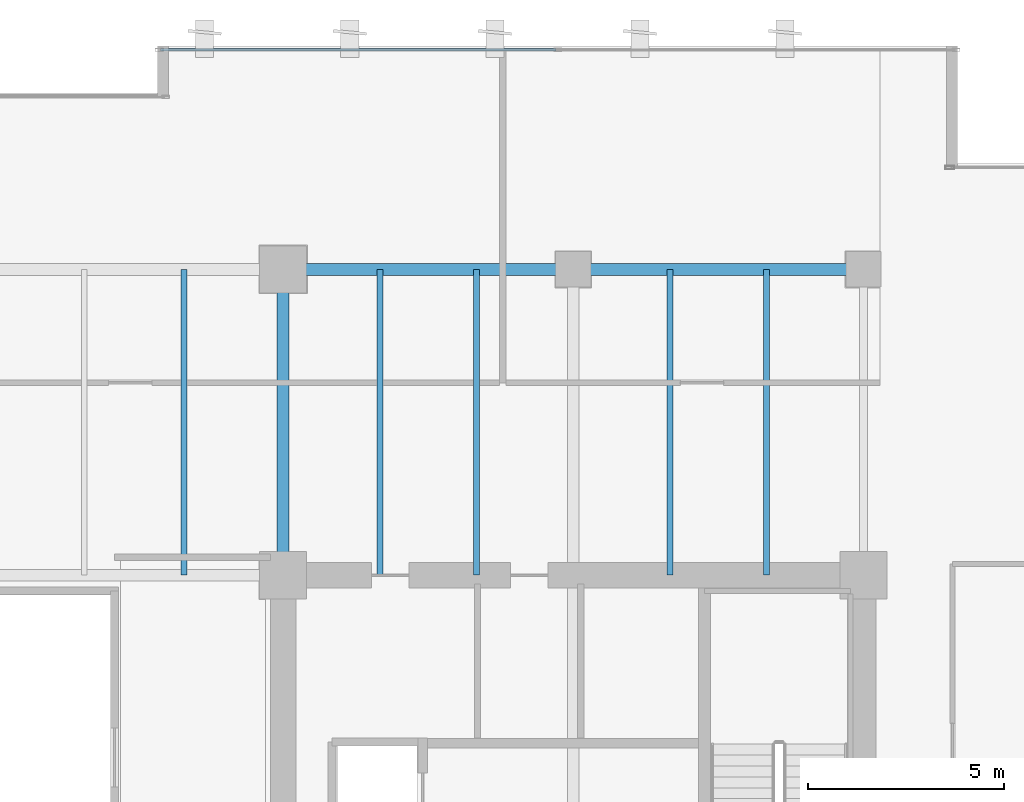
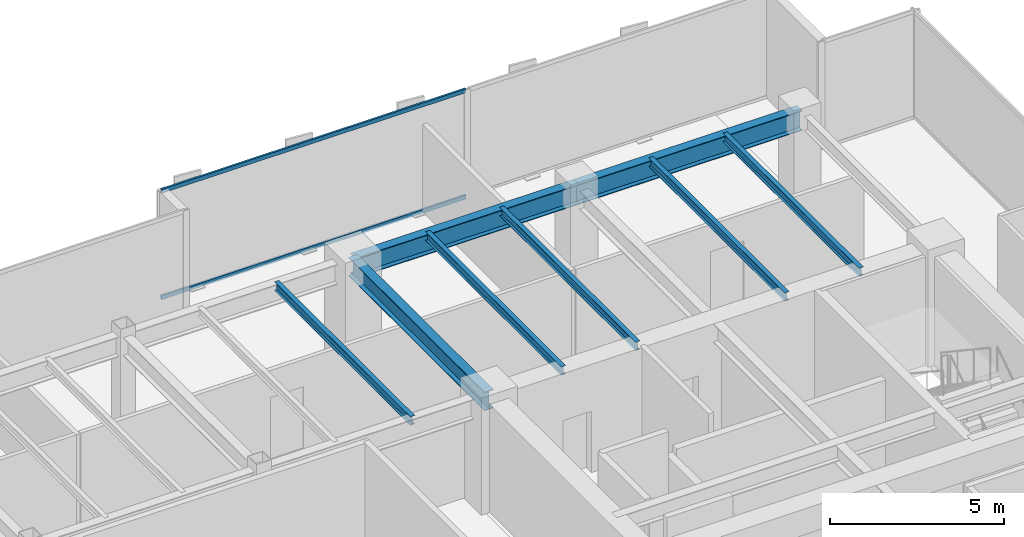
# One storey, part 19 of 34: 8 beams, 2 members, 1 element without a shape of its own.
"""IFC4 building model written with IfcOpenShell, lengths in metres."""

import ifcopenshell
import ifcopenshell.guid

model = None  # the IFC model being written
_history = None  # IfcOwnerHistory: only IFC2X3 demands one
_inside = {}  # id of a spatial element -> (the spatial element, [elements in it])
_under = {}  # id of a project, library or spatial element -> (it, [spatial elements below it])
_declared = {}  # id of a project -> (the project, [libraries it declares])
_typed = {}  # id of a type object -> (the type object, [elements of that type])
_made_of = {}  # id of a material, layer set ... -> (it, [elements and type objects made of it])


def new_model(schema):
    """Start an empty IFC model of exactly this schema.

    Asked for "IFC4X3", IfcOpenShell would pick the latest addendum, in which some entities
    have other attributes; the version numbers below select the first issue.
    IFC2X3 requires an IfcOwnerHistory on every rooted entity: one is made here for all.
    """
    global model, _history
    if schema == "IFC4X3":
        model = ifcopenshell.file(schema_version=(4, 3, 0, 0))
    else:
        model = ifcopenshell.file(schema=schema)
    _inside.clear()
    _under.clear()
    _declared.clear()
    _typed.clear()
    _made_of.clear()
    _history = None
    if model.schema == "IFC2X3":
        org = make("IfcOrganization", Name="unknown")
        user = make(
            "IfcPersonAndOrganization",
            ThePerson=make("IfcPerson", FamilyName="unknown"),
            TheOrganization=org,
        )
        app = make(
            "IfcApplication",
            ApplicationDeveloper=org,
            Version="unknown",
            ApplicationFullName="unknown",
            ApplicationIdentifier="unknown",
        )
        _history = make(
            "IfcOwnerHistory",
            OwningUser=user,
            OwningApplication=app,
            ChangeAction="ADDED",
            CreationDate=0,
        )
    return model


def make(cls, **values):
    """One entity of the class cls with the attributes given. An attribute that is None is left unset."""
    return model.create_entity(
        cls, **{name: value for name, value in values.items() if value is not None}
    )


def rooted(cls, **values):
    """An entity with a GlobalId (a new one), such as an element, a storey or a relation."""
    return make(cls, GlobalId=ifcopenshell.guid.new(), OwnerHistory=_history, **values)


def si_unit(unit_type, name, prefix=None):
    """IfcSIUnit, for example si_unit("LENGTHUNIT", "METRE", prefix="MILLI")."""
    return make("IfcSIUnit", UnitType=unit_type, Prefix=prefix, Name=name)


def assignment(units):
    """IfcUnitAssignment: the units of a project."""
    return None if units is None else make("IfcUnitAssignment", Units=units)


def point(xyz):
    """IfcCartesianPoint."""
    return None if xyz is None else make("IfcCartesianPoint", Coordinates=xyz)


def direction(xyz):
    """IfcDirection."""
    return None if xyz is None else make("IfcDirection", DirectionRatios=xyz)


def frame(location, z_axis=None, x_axis=None):
    """IfcAxis2Placement3D, a coordinate frame: its origin and axes. An axis left out is left unset."""
    return make(
        "IfcAxis2Placement3D",
        Location=point(location),
        Axis=direction(z_axis),
        RefDirection=direction(x_axis),
    )


def frame_2d(location, x_axis=None):
    """IfcAxis2Placement2D, a coordinate frame in the plane: its origin and x axis."""
    return make(
        "IfcAxis2Placement2D", Location=point(location), RefDirection=direction(x_axis)
    )


def origin():
    """The frame at (0, 0, 0) with its axes left unset."""
    return frame((0.0, 0.0, 0.0))


def origin_2d():
    """The frame at (0, 0) in the plane with its x axis left unset."""
    return frame_2d((0.0, 0.0))


def place(relative_to, where):
    """IfcLocalPlacement: puts the frame where relative to a parent placement (None: the world)."""
    return make(
        "IfcLocalPlacement", PlacementRelTo=relative_to, RelativePlacement=where
    )


def context(
    kind, dimensions, precision=None, world=None, true_north=None, identifier=None
):
    """IfcGeometricRepresentationContext, for example the 3D "Model" context."""
    return make(
        "IfcGeometricRepresentationContext",
        ContextIdentifier=identifier,
        ContextType=kind,
        CoordinateSpaceDimension=dimensions,
        Precision=precision,
        WorldCoordinateSystem=world,
        TrueNorth=true_north,
    )


def subcontext(parent, identifier, kind, view, scale=None):
    """IfcGeometricRepresentationSubContext, for example "Body" below "Model"."""
    return make(
        "IfcGeometricRepresentationSubContext",
        ContextIdentifier=identifier,
        ContextType=kind,
        ParentContext=parent,
        TargetScale=scale,
        TargetView=view,
    )


def project(units=None, contexts=None):
    """IfcProject with its units and contexts."""
    return rooted(
        "IfcProject",
        Name="project",
        RepresentationContexts=contexts,
        UnitsInContext=assignment(units),
    )


def spatial(cls, under=None, at=None, **own):
    """A site, building, storey or space (cls), placed at a placement, below another one or the project."""
    s = rooted(cls, ObjectPlacement=at, **own)
    if under is not None:
        _under.setdefault(under.id(), (under, []))[1].append(s)
    return s


def profile(cls, at=None, kind="AREA", **sizes):
    """A parametric profile (cls). Its sizes go by their IFC names, for example OverallWidth=200.0."""
    return make(cls, ProfileType=kind, Position=at, **sizes)


def hollow_rectangle(**sizes):
    """IfcRectangleHollowProfileDef."""
    return profile("IfcRectangleHollowProfileDef", **sizes)


def i_section(**sizes):
    """IfcIShapeProfileDef."""
    return profile("IfcIShapeProfileDef", **sizes)


def extrude(swept, where, along, depth):
    """IfcExtrudedAreaSolid: the profile swept, set in the frame where, extruded along a direction by depth."""
    return make(
        "IfcExtrudedAreaSolid",
        SweptArea=swept,
        Position=where,
        ExtrudedDirection=direction(along),
        Depth=depth,
    )


def shape(context_of_items, identifier, shape_type, items):
    """IfcShapeRepresentation: the items that make up one representation, for example the "Body"."""
    return make(
        "IfcShapeRepresentation",
        ContextOfItems=context_of_items,
        RepresentationIdentifier=identifier,
        RepresentationType=shape_type,
        Items=items,
    )


def source(mapping_origin, context_of_items, identifier, shape_type, items):
    """IfcRepresentationMap: a shape defined once, which mapped items show again and again."""
    return make(
        "IfcRepresentationMap",
        MappingOrigin=mapping_origin,
        MappedRepresentation=shape(context_of_items, identifier, shape_type, items),
    )


def transform(
    local_origin,
    x_axis=None,
    y_axis=None,
    z_axis=None,
    scale=None,
    scale2=None,
    scale3=None,
    uniform=True,
):
    """IfcCartesianTransformationOperator3D, or its non-uniform kind. x_axis, y_axis, z_axis: its Axis1, 2, 3."""
    if uniform:
        return make(
            "IfcCartesianTransformationOperator3D",
            Axis1=direction(x_axis),
            Axis2=direction(y_axis),
            LocalOrigin=point(local_origin),
            Scale=scale,
            Axis3=direction(z_axis),
        )
    return make(
        "IfcCartesianTransformationOperator3DnonUniform",
        Axis1=direction(x_axis),
        Axis2=direction(y_axis),
        LocalOrigin=point(local_origin),
        Scale=scale,
        Axis3=direction(z_axis),
        Scale2=scale2,
        Scale3=scale3,
    )


def mapped(mapping_source, mapping_target):
    """IfcMappedItem: shows the shape of a source again, moved by a transform."""
    return make(
        "IfcMappedItem", MappingSource=mapping_source, MappingTarget=mapping_target
    )


def material(Name=None, Category=None):
    """IfcMaterial."""
    return make("IfcMaterial", Name=Name, Category=Category)


def layer(
    of_material, thickness, ventilated=None, Name=None, Category=None, Priority=None
):
    """IfcMaterialLayer: one layer of a wall or slab, of a material (None: an air gap)."""
    return make(
        "IfcMaterialLayer",
        Material=of_material,
        LayerThickness=thickness,
        IsVentilated=ventilated,
        Name=Name,
        Category=Category,
        Priority=Priority,
    )


def layer_set(layers, Name=None):
    """IfcMaterialLayerSet."""
    return make("IfcMaterialLayerSet", MaterialLayers=layers, LayerSetName=Name)


def material_profile(
    of_material, cross_section, Name=None, Category=None, Priority=None
):
    """IfcMaterialProfile: a cross section and its material."""
    return make(
        "IfcMaterialProfile",
        Name=Name,
        Material=of_material,
        Profile=cross_section,
        Priority=Priority,
        Category=Category,
    )


def profile_set(profiles, Name=None, composite=None):
    """IfcMaterialProfileSet."""
    return make(
        "IfcMaterialProfileSet",
        Name=Name,
        MaterialProfiles=profiles,
        CompositeProfile=composite,
    )


def made_of(thing, what):
    """Note that an element or type object is made of a material, layer set ...; save() writes the relation."""
    if what is not None:
        _made_of.setdefault(what.id(), (what, []))[1].append(thing)
    return thing


def type_object(cls, material=None, **own):
    """A type object (cls), such as IfcWallType, which elements share."""
    return made_of(rooted(cls, **own), material)


def type_shapes(of_type, sources):
    """Give a type object the sources (RepresentationMaps) that its elements show as mapped items."""
    of_type.RepresentationMaps = sources


def element(
    cls,
    number,
    at=None,
    inside=None,
    cuts=None,
    type_object=None,
    material=None,
    context=None,
    identifier="Body",
    shape_type=None,
    held_by="IfcProductDefinitionShape",
    body=None,
    shapes=None,
    **own,
):
    """One element of the class cls, such as IfcWall. Its Tag is "e" and its number.

    at: its placement. inside: the storey or other place that contains it. cuts: it is an
    opening in that element (IfcRelVoidsElement). A single representation is given by context,
    identifier, shape_type and body (its items); several are given by shapes. held_by: the class
    of the entity that holds the representations. save() writes the other relations.
    """
    e = rooted(cls, Tag="e%d" % number, ObjectPlacement=at, **own)
    if body is not None:
        shapes = [shape(context, identifier, shape_type, body)]
    if shapes is not None:
        e.Representation = make(held_by, Representations=shapes)
    if inside is not None:
        _inside.setdefault(inside.id(), (inside, []))[1].append(e)
    if cuts is not None:
        rooted(
            "IfcRelVoidsElement", RelatingBuildingElement=cuts, RelatedOpeningElement=e
        )
    if type_object is not None:
        _typed.setdefault(type_object.id(), (type_object, []))[1].append(e)
    return made_of(e, material)


def aggregate(whole, parts):
    """IfcRelAggregates: a whole, such as a stair, and the parts it consists of."""
    return rooted("IfcRelAggregates", RelatingObject=whole, RelatedObjects=parts)


def save(model, path):
    """Write the relations noted so far, then the file.

    IfcRelAggregates (storeys below a building ...), IfcRelContainedInSpatialStructure (elements
    in a storey), IfcRelDefinesByType, IfcRelAssociatesMaterial and IfcRelDeclares: one each for
    every whole, place, type object, material and project.
    """
    for whole, parts in _under.values():
        aggregate(whole, parts)
    for where, things in _inside.values():
        rooted(
            "IfcRelContainedInSpatialStructure",
            RelatedElements=things,
            RelatingStructure=where,
        )
    for kind, things in _typed.values():
        rooted("IfcRelDefinesByType", RelatedObjects=things, RelatingType=kind)
    for what, things in _made_of.values():
        rooted("IfcRelAssociatesMaterial", RelatedObjects=things, RelatingMaterial=what)
    for by, libraries in _declared.values():
        rooted("IfcRelDeclares", RelatingContext=by, RelatedDefinitions=libraries)
    model.write(path)


model = new_model("IFC4")

# Units and contexts
model_context = context("Model", 3, precision=1e-05, world=origin(), true_north=direction((0.0, 1.0)))
body_context = subcontext(model_context, "Body", "Model", "MODEL_VIEW")
ifc_project = project(units=[si_unit("LENGTHUNIT", "METRE"), si_unit("AREAUNIT", "SQUARE_METRE"), si_unit("VOLUMEUNIT", "CUBIC_METRE"), si_unit("PLANEANGLEUNIT", "RADIAN"), si_unit("MASSUNIT", "GRAM", prefix="KILO")], contexts=[model_context])

# Site, building, storey
site_placement = place(None, origin())
site = spatial("IfcSite", under=ifc_project, at=site_placement, CompositionType="ELEMENT")
building_placement = place(site_placement, origin())
building = spatial("IfcBuilding", under=site, at=building_placement, Name="Haelvirn Gate Laboratories", CompositionType="ELEMENT")
storey_placement = place(building_placement, frame((0.0, 0.0, 109.199951171875)))
storey = spatial("IfcBuildingStorey", under=building, at=storey_placement, Name="L26", CompositionType="ELEMENT", Elevation=109.199951171875)

# Beams
ifc_material_1 = material(Name="Steel SM355", Category="steel")
ifc_material_profile_1 = material_profile(ifc_material_1, i_section(OverallWidth=0.300048828125, OverallDepth=0.64990234375, WebThickness=0.012939453125, FlangeThickness=0.02197265625, at=origin_2d()), Name="H-650x300x13x22")
ifc_profile_set_1 = profile_set([ifc_material_profile_1], Name="Steel SM355")
beam_type_1 = type_object("IfcBeamType", Name="BM-G-650", PredefinedType="BEAM", material=ifc_profile_set_1)
shared_shape_1 = source(origin(), body_context, "Body", "SweptSolid", [
    extrude(i_section(OverallWidth=0.300048828125, OverallDepth=0.64990234375, WebThickness=0.012939453125, FlangeThickness=0.02197265625, at=origin_2d()), origin(), (0.0, 0.0, 1.0), 7.800048828125),
])
type_shapes(beam_type_1, [shared_shape_1])
beam_placement = place(storey_placement, frame((52.60009765625, 33.800048828125, 3.465087890625), z_axis=(0.0, 1.0, 0.0), x_axis=(-1.0, 0.0, 0.0)))
element("IfcBeam", 1, at=beam_placement, inside=storey, type_object=beam_type_1, Name="L26 Frame Girder X52.6 (33.8-41.6)", PredefinedType="BEAM", context=body_context, shape_type="MappedRepresentation", body=[
    mapped(shared_shape_1, transform((0.0, 0.0, 0.0), scale=1.0)),
])
ifc_material_profile_2 = material_profile(ifc_material_1, i_section(OverallWidth=0.300048828125, OverallDepth=0.699951171875, WebThickness=0.012939453125, FlangeThickness=0.02392578125, at=origin_2d()), Name="H-700x300x13x24")
ifc_profile_set_2 = profile_set([ifc_material_profile_2], Name="Steel SM355")
beam_type_2 = type_object("IfcBeamType", Name="BM-G-700", PredefinedType="BEAM", material=ifc_profile_set_2)
shared_shape_2 = source(origin(), body_context, "Body", "SweptSolid", [
    extrude(i_section(OverallWidth=0.300048828125, OverallDepth=0.699951171875, WebThickness=0.012939453125, FlangeThickness=0.02392578125, at=origin_2d()), origin(), (0.0, 0.0, 1.0), 7.39990234375),
])
type_shapes(beam_type_2, [shared_shape_2])
for number, where, z_axis, x_axis, name in (
    (2, (52.60009765625, 41.60009765625, 3.43994140625), (1.0, 0.0, 0.0), (0.0, 1.0, 0.0), "L26 Primary Girder Y41.6 (52.6-60.0)"),
    (3, (60.0, 41.60009765625, 3.43994140625), (1.0, 0.0, 0.0), (0.0, 1.0, 0.0), "L26 Primary Girder Y41.6 (60.0-67.4)"),
):
    element("IfcBeam", number, at=place(storey_placement, frame(where, z_axis=z_axis, x_axis=x_axis)), inside=storey, type_object=beam_type_2, Name=name, PredefinedType="BEAM", context=body_context, shape_type="MappedRepresentation", body=[
        mapped(shared_shape_2, transform((0.0, 0.0, 0.0), scale=1.0)),
    ])
ifc_material_profile_3 = material_profile(ifc_material_1, i_section(OverallWidth=0.14990234375, OverallDepth=0.300048828125, WebThickness=0.006591796875, FlangeThickness=0.009033203125, at=origin_2d()), Name="H-300x150x6.5x9")
ifc_profile_set_3 = profile_set([ifc_material_profile_3], Name="Steel SM355")
beam_type_3 = type_object("IfcBeamType", Name="BM-J-300", PredefinedType="JOIST", material=ifc_profile_set_3)
shared_shape_3 = source(origin(), body_context, "Body", "SweptSolid", [
    extrude(i_section(OverallWidth=0.14990234375, OverallDepth=0.300048828125, WebThickness=0.006591796875, FlangeThickness=0.009033203125, at=origin_2d()), origin(), (0.0, 0.0, 1.0), 7.800048828125),
])
type_shapes(beam_type_3, [shared_shape_3])
for number, where, z_axis, x_axis, name in (
    (4, (50.070068359375, 33.800048828125, 3.64013671875), (0.0, 1.0, 0.0), (-1.0, 0.0, 0.0), "L26 Composite Lab Joist North X50.07"),
    (5, (55.070068359375, 33.800048828125, 3.64013671875), (0.0, 1.0, 0.0), (-1.0, 0.0, 0.0), "L26 Composite Lab Joist North X55.07"),
    (6, (57.530029296875, 33.800048828125, 3.64013671875), (0.0, 1.0, 0.0), (-1.0, 0.0, 0.0), "L26 Composite Lab Joist North X57.53"),
    (7, (62.469970703125, 33.800048828125, 3.64013671875), (0.0, 1.0, 0.0), (-1.0, 0.0, 0.0), "L26 Composite Lab Joist North X62.47"),
    (8, (64.929931640625, 33.800048828125, 3.64013671875), (0.0, 1.0, 0.0), (-1.0, 0.0, 0.0), "L26 Composite Lab Joist North X64.93"),
):
    element("IfcBeam", number, at=place(storey_placement, frame(where, z_axis=z_axis, x_axis=x_axis)), inside=storey, type_object=beam_type_3, Name=name, PredefinedType="JOIST", context=body_context, shape_type="MappedRepresentation", body=[
        mapped(shared_shape_3, transform((0.0, 0.0, 0.0), scale=1.0)),
    ])

# Curtain wall, members
ifc_material_2 = material(Name="Anodised bronze unitised aluminium & triple low-E glass", Category="aluminium")
ifc_layer = layer(ifc_material_2, 0.179931640625, Name="CW-SYS-3")
ifc_layer_set = layer_set([ifc_layer], Name="Anodised bronze unitised aluminium & triple low-E glass")
curtain_wall_type = type_object("IfcCurtainWallType", Name="CW-SYS-3", PredefinedType="NOTDEFINED", material=ifc_layer_set)
curtain_wall_placement = place(storey_placement, origin())
curtain_wall = element("IfcCurtainWall", 9, at=curtain_wall_placement, inside=storey, type_object=curtain_wall_type, Name="L26 Unitised Curtain Wall CW-L26-P0-E10-1", PredefinedType="NOTDEFINED")
ifc_material_3 = material(Name="Extruded aluminium 6063-T6 (anodised bronze)", Category="aluminium")
ifc_material_profile_4 = material_profile(ifc_material_3, hollow_rectangle(XDim=0.06494140625, YDim=0.139892578125, WallThickness=0.00390625, at=origin_2d()), Name="CWT-140x65x4")
ifc_profile_set_4 = profile_set([ifc_material_profile_4], Name="Extruded aluminium 6063-T6 (anodised bronze)")
member_type = type_object("IfcMemberType", Name="CWT-T140", PredefinedType="USERDEFINED", material=ifc_profile_set_4)
shared_shape_4 = source(origin(), body_context, "Body", "SweptSolid", [
    extrude(hollow_rectangle(XDim=0.06494140625, YDim=0.139892578125, WallThickness=0.00390625, at=origin_2d()), origin(), (0.0, 0.0, 1.0), 10.08740234375),
])
type_shapes(member_type, [shared_shape_4])
member_1_placement = place(storey_placement, frame((49.47509765625, 47.199951171875, 0.032470703125), z_axis=(1.0, 0.0, 0.0), x_axis=(0.0, 1.0, 0.0)))
member_1 = element("IfcMember", 10, at=member_1_placement, type_object=member_type, Name="CW3 transom 1.1", ObjectType="TRANSOM", PredefinedType="USERDEFINED", context=body_context, shape_type="MappedRepresentation", body=[
    mapped(shared_shape_4, transform((0.0, 0.0, 0.0), scale=1.0)),
])
member_2_placement = place(storey_placement, frame((49.47509765625, 47.199951171875, 3.757568359375), z_axis=(1.0, 0.0, 0.0), x_axis=(0.0, 1.0, 0.0)))
member_2 = element("IfcMember", 11, at=member_2_placement, type_object=member_type, Name="CW3 transom 1.2", ObjectType="TRANSOM", PredefinedType="USERDEFINED", context=body_context, shape_type="MappedRepresentation", body=[
    mapped(shared_shape_4, transform((0.0, 0.0, 0.0), scale=1.0)),
])
aggregate(curtain_wall, [member_1, member_2])

save(model, "model.ifc")
